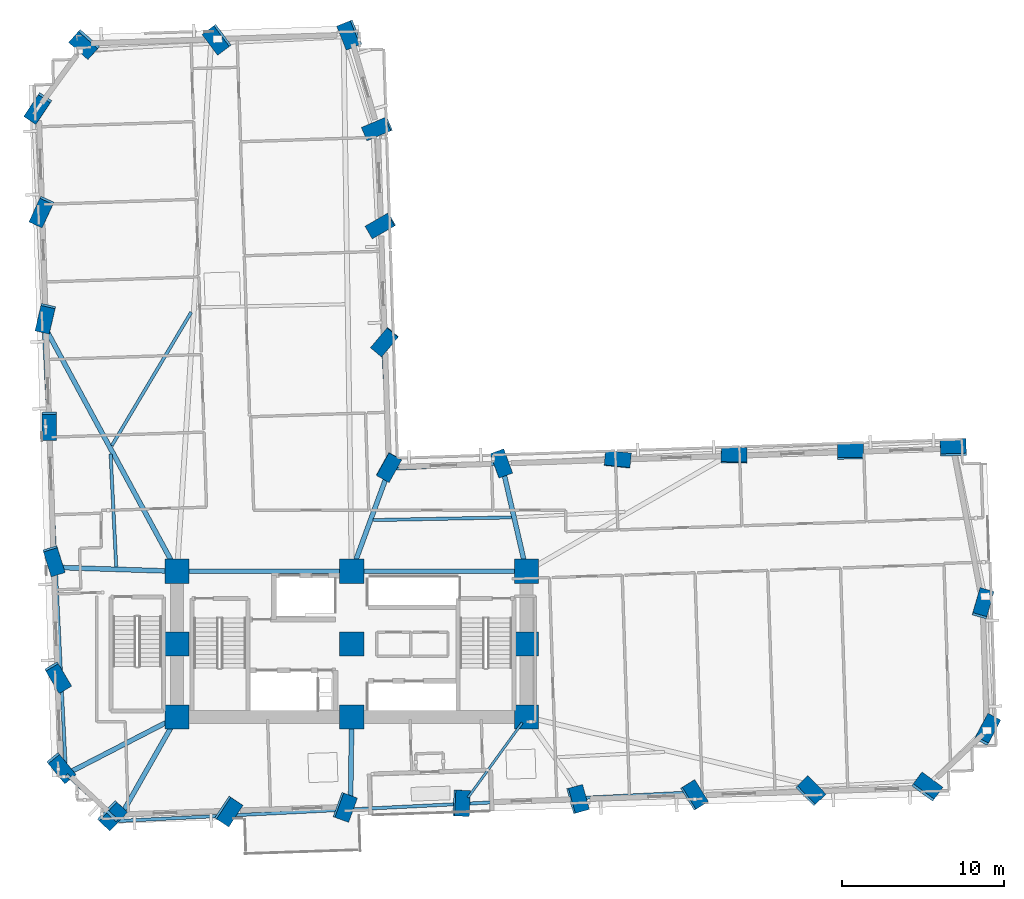
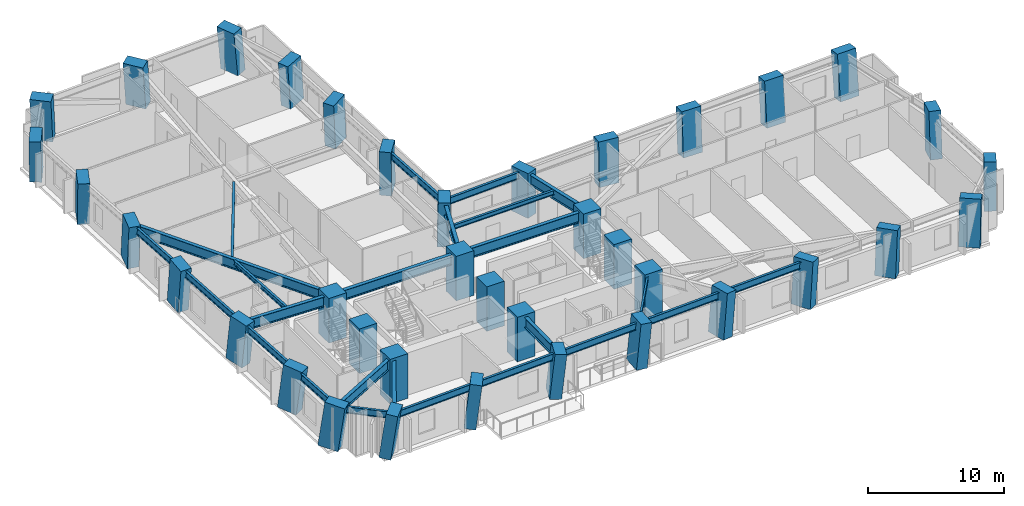
# One storey, part 1 of 14: 38 columns, 25 beams.
"""IFC4 building model written with IfcOpenShell, lengths in metres."""

from ifc_helpers import new_model, si_unit, direction, frame, origin, origin_2d, place, context, subcontext, project, spatial, rectangle, i_section, extrude, material, material_profile, profile_set, type_object, element, save


model = new_model("IFC4")

# Units and contexts
model_context = context("Model", 3, precision=1e-05, world=origin(), true_north=direction((0.0, 1.0)))
body_context = subcontext(model_context, "Body", "Model", "MODEL_VIEW")
ifc_project = project(units=[si_unit("LENGTHUNIT", "METRE"), si_unit("AREAUNIT", "SQUARE_METRE"), si_unit("VOLUMEUNIT", "CUBIC_METRE"), si_unit("PLANEANGLEUNIT", "RADIAN"), si_unit("MASSUNIT", "GRAM", prefix="KILO")], contexts=[model_context])

# Site, building, storey
site_placement = place(None, origin())
site = spatial("IfcSite", under=ifc_project, at=site_placement, CompositionType="ELEMENT")
building_placement = place(site_placement, origin())
building = spatial("IfcBuilding", under=site, at=building_placement, Name="Gaonmaruhae Medical Tower", CompositionType="ELEMENT")
storey_placement = place(building_placement, frame((0.0, 0.0, 31.0)))
storey = spatial("IfcBuildingStorey", under=building, at=storey_placement, Name="L06", CompositionType="ELEMENT", Elevation=31.0)

# Columns
ifc_material_1 = material(Name="Concrete C60/75", Category="concrete")
ifc_material_profile_1 = material_profile(ifc_material_1, rectangle(XDim=1.5, YDim=1.5, at=origin_2d()), Name="RC-1500x1500")
ifc_profile_set_1 = profile_set([ifc_material_profile_1], Name="Concrete C60/75")
column_type_1 = type_object("IfcColumnType", Name="CC-02 Zone 1 Core Column (RC-1500x1500)", PredefinedType="COLUMN", material=ifc_profile_set_1)
for number, where, z_axis, x_axis, name in (
    (1, (14.0, 7.800048828125, 0.0), (0.0, 0.0, 1.0), (1.0, 0.0, 0.0), "L06 Plumb Core Column CC11"),
    (2, (14.0, 12.300048828125, 0.0), (0.0, 0.0, 1.0), (1.0, 0.0, 0.0), "L06 Plumb Core Column CC12"),
    (3, (14.0, 16.800048828125, 0.0), (0.0, 0.0, 1.0), (1.0, 0.0, 0.0), "L06 Plumb Core Column CC13"),
    (4, (24.800048828125, 7.800048828125, 0.0), (0.0, 0.0, 1.0), (1.0, 0.0, 0.0), "L06 Plumb Core Column CC21"),
    (5, (24.800048828125, 12.300048828125, 0.0), (0.0, 0.0, 1.0), (1.0, 0.0, 0.0), "L06 Plumb Core Column CC22"),
    (6, (24.800048828125, 16.800048828125, 0.0), (0.0, 0.0, 1.0), (1.0, 0.0, 0.0), "L06 Plumb Core Column CC23"),
    (7, (35.60009765625, 7.800048828125, 0.0), (0.0, 0.0, 1.0), (1.0, 0.0, 0.0), "L06 Plumb Core Column CC31"),
    (8, (35.60009765625, 12.300048828125, 0.0), (0.0, 0.0, 1.0), (1.0, 0.0, 0.0), "L06 Plumb Core Column CC32"),
    (9, (35.60009765625, 16.800048828125, 0.0), (0.0, 0.0, 1.0), (1.0, 0.0, 0.0), "L06 Plumb Core Column CC33"),
):
    element("IfcColumn", number, at=place(storey_placement, frame(where, z_axis=z_axis, x_axis=x_axis)), inside=storey, type_object=column_type_1, Name=name, PredefinedType="COLUMN", context=body_context, shape_type="SweptSolid", body=[
        extrude(rectangle(XDim=1.5, YDim=1.5, at=origin_2d()), origin(), (0.0, 0.0, 1.0), 4.0),
    ])
ifc_material_profile_2 = material_profile(ifc_material_1, rectangle(XDim=1.60009765625, YDim=0.89990234375, at=origin_2d()), Name="RC-1600x900")
ifc_profile_set_2 = profile_set([ifc_material_profile_2], Name="Concrete C60/75")
column_type_2 = type_object("IfcColumnType", Name="TC-01 Lower Raking Tube Pier Column (RC-1600x900)", PredefinedType="COLUMN", material=ifc_profile_set_2)
column_1_placement = place(storey_placement, frame((9.951171875, 1.753173828125, 0.001708984375), z_axis=(0.095504651376, -0.096351967674, 0.990754843486), x_axis=(0.686707556707, 0.726919871615, 0.004497978688)))
element("IfcColumn", 10, at=column_1_placement, inside=storey, type_object=column_type_2, Name="L06 Perimeter Tube Column S01", PredefinedType="COLUMN", context=body_context, shape_type="SweptSolid", body=[
    extrude(rectangle(XDim=1.60009765625, YDim=0.89990234375, at=origin_2d()), origin(), (0.0, 0.0, 1.0), 4.033935546875),
])
column_2_placement = place(storey_placement, frame((17.147216796875, 1.991943359375, 0.001708984375), z_axis=(0.094473013371, -0.066986645319, 0.993271181044), x_axis=(0.551227533115, 0.834346129005, 0.003839759155)))
element("IfcColumn", 11, at=column_2_placement, inside=storey, type_object=column_type_2, Name="L06 Perimeter Tube Column S02", PredefinedType="COLUMN", context=body_context, shape_type="SweptSolid", body=[
    extrude(rectangle(XDim=1.60009765625, YDim=0.89990234375, at=origin_2d()), origin(), (0.0, 0.0, 1.0), 4.023681640625),
])
column_3_placement = place(storey_placement, frame((24.34326171875, 2.230712890625, 0.001708984375), z_axis=(0.093414591614, -0.037438769313, 0.994923139054), x_axis=(0.341191535145, 0.939987873879, 0.003336661014)))
element("IfcColumn", 12, at=column_3_placement, inside=storey, type_object=column_type_2, Name="L06 Perimeter Tube Column S03", PredefinedType="COLUMN", context=body_context, shape_type="SweptSolid", body=[
    extrude(rectangle(XDim=1.60009765625, YDim=0.89990234375, at=origin_2d()), origin(), (0.0, 0.0, 1.0), 4.01708984375),
])
column_4_placement = place(storey_placement, frame((31.539306640625, 2.469482421875, 0.001708984375), z_axis=(0.092271359153, -0.007785586006, 0.995703460339), x_axis=(0.051136235905, 0.998686967769, 0.003070144289)))
element("IfcColumn", 13, at=column_4_placement, inside=storey, type_object=column_type_2, Name="L06 Perimeter Tube Column S04", PredefinedType="COLUMN", context=body_context, shape_type="SweptSolid", body=[
    extrude(rectangle(XDim=1.60009765625, YDim=0.89990234375, at=origin_2d()), origin(), (0.0, 0.0, 1.0), 4.013916015625),
])
column_5_placement = place(storey_placement, frame((38.7353515625, 2.708251953125, 0.001708984375), z_axis=(0.090985631016, 0.021894937945, 0.995611483783), x_axis=(-0.265927712574, 0.963987979471, 0.003102760257)))
element("IfcColumn", 14, at=column_5_placement, inside=storey, type_object=column_type_2, Name="L06 Perimeter Tube Column S05", PredefinedType="COLUMN", context=body_context, shape_type="SweptSolid", body=[
    extrude(rectangle(XDim=1.60009765625, YDim=0.89990234375, at=origin_2d()), origin(), (0.0, 0.0, 1.0), 4.01416015625),
])
column_6_placement = place(storey_placement, frame((45.931396484375, 2.947021484375, 0.001708984375), z_axis=(0.089681088659, 0.051584853842, 0.994633754299), x_axis=(-0.526915084998, 0.849911011221, 0.003430190405)))
element("IfcColumn", 15, at=column_6_placement, inside=storey, type_object=column_type_2, Name="L06 Perimeter Tube Column S06", PredefinedType="COLUMN", context=body_context, shape_type="SweptSolid", body=[
    extrude(rectangle(XDim=1.60009765625, YDim=0.89990234375, at=origin_2d()), origin(), (0.0, 0.0, 1.0), 4.01806640625),
])
column_7_placement = place(storey_placement, frame((53.12744140625, 3.185791015625, 0.001708984375), z_axis=(0.088301732814, 0.081084764267, 0.99278802621), x_axis=(-0.700238789355, 0.713897639235, 0.003974742434)))
element("IfcColumn", 16, at=column_7_placement, inside=storey, type_object=column_type_2, Name="L06 Perimeter Tube Column S07", PredefinedType="COLUMN", context=body_context, shape_type="SweptSolid", body=[
    extrude(rectangle(XDim=1.60009765625, YDim=0.89990234375, at=origin_2d()), origin(), (0.0, 0.0, 1.0), 4.025634765625),
])
column_8_placement = place(storey_placement, frame((60.323486328125, 3.424560546875, 0.001708984375), z_axis=(0.086851898184, 0.110379327428, 0.990087446571), x_axis=(-0.805751774541, 0.592235082356, 0.00465672101)))
element("IfcColumn", 17, at=column_8_placement, inside=storey, type_object=column_type_2, Name="L06 Perimeter Tube Column S08", PredefinedType="COLUMN", context=body_context, shape_type="SweptSolid", body=[
    extrude(rectangle(XDim=1.60009765625, YDim=0.89990234375, at=origin_2d()), origin(), (0.0, 0.0, 1.0), 4.03662109375),
])
column_9_placement = place(storey_placement, frame((64.05859375, 6.9501953125, 0.001708984375), z_axis=(0.072169528096, 0.125541130532, 0.989459945505), x_axis=(-0.464116659071, -0.873870563102, 0.144727211392)))
element("IfcColumn", 18, at=column_9_placement, inside=storey, type_object=column_type_2, Name="L06 Perimeter Tube Column E01", PredefinedType="COLUMN", context=body_context, shape_type="SweptSolid", body=[
    extrude(rectangle(XDim=1.60009765625, YDim=0.89990234375, at=origin_2d()), origin(), (0.0, 0.0, 1.0), 4.0390625),
])
column_10_placement = place(storey_placement, frame((63.800048828125, 14.74609375, 0.001708984375), z_axis=(0.040274338788, 0.124396228377, 0.991414926255), x_axis=(-0.273662155981, -0.952906802327, 0.130681484771)))
element("IfcColumn", 19, at=column_10_placement, inside=storey, type_object=column_type_2, Name="L06 Perimeter Tube Column E02", PredefinedType="COLUMN", context=body_context, shape_type="SweptSolid", body=[
    extrude(rectangle(XDim=1.60009765625, YDim=0.89990234375, at=origin_2d()), origin(), (0.0, 0.0, 1.0), 4.03125),
])
column_11_placement = place(storey_placement, frame((61.979248046875, 24.390869140625, 0.001708984375), z_axis=(0.000728026521, 0.116848256675, 0.993149512858), x_axis=(-0.999635972632, -0.026700426873, 0.003874199989)))
element("IfcColumn", 20, at=column_11_placement, inside=storey, type_object=column_type_2, Name="L06 Perimeter Tube Column E03", PredefinedType="COLUMN", context=body_context, shape_type="SweptSolid", body=[
    extrude(rectangle(XDim=1.60009765625, YDim=0.89990234375, at=origin_2d()), origin(), (0.0, 0.0, 1.0), 4.024169921875),
])
column_12_placement = place(storey_placement, frame((55.632568359375, 24.180419921875, 0.001708984375), z_axis=(0.001825022721, 0.090946965617, 0.99585406498), x_axis=(-0.999911476925, -0.012959253043, 0.003015969921)))
element("IfcColumn", 21, at=column_12_placement, inside=storey, type_object=column_type_2, Name="L06 Perimeter Tube Column EN01", PredefinedType="COLUMN", context=body_context, shape_type="SweptSolid", body=[
    extrude(rectangle(XDim=1.60009765625, YDim=0.89990234375, at=origin_2d()), origin(), (0.0, 0.0, 1.0), 4.01318359375),
])
column_13_placement = place(storey_placement, frame((48.4365234375, 23.941650390625, 0.001708984375), z_axis=(0.003048590926, 0.061398621247, 0.998108669135), x_axis=(-0.999861584923, 0.016512321964, 0.002038190045)))
element("IfcColumn", 22, at=column_13_placement, inside=storey, type_object=column_type_2, Name="L06 Perimeter Tube Column EN02", PredefinedType="COLUMN", context=body_context, shape_type="SweptSolid", body=[
    extrude(rectangle(XDim=1.60009765625, YDim=0.89990234375, at=origin_2d()), origin(), (0.0, 0.0, 1.0), 4.004150390625),
])
column_14_placement = place(storey_placement, frame((41.240478515625, 23.702880859375, 0.001708984375), z_axis=(0.004334983307, 0.031688117412, 0.999488404702), x_axis=(-0.99471880783, 0.102632201953, 0.001060410662)))
element("IfcColumn", 23, at=column_14_placement, inside=storey, type_object=column_type_2, Name="L06 Perimeter Tube Column EN03", PredefinedType="COLUMN", context=body_context, shape_type="SweptSolid", body=[
    extrude(rectangle(XDim=1.60009765625, YDim=0.89990234375, at=origin_2d()), origin(), (0.0, 0.0, 1.0), 3.99853515625),
])
column_15_placement = place(storey_placement, frame((34.04443359375, 23.464111328125, 0.001708984375), z_axis=(0.005558854074, 0.001832589255, 0.999982870232), x_axis=(-0.344410613916, 0.938819094055, 0.000194061884)))
element("IfcColumn", 24, at=column_15_placement, inside=storey, type_object=column_type_2, Name="L06 Perimeter Tube Column EN04", PredefinedType="COLUMN", context=body_context, shape_type="SweptSolid", body=[
    extrude(rectangle(XDim=1.60009765625, YDim=0.89990234375, at=origin_2d()), origin(), (0.0, 0.0, 1.0), 3.99658203125),
])
column_16_placement = place(storey_placement, frame((27.098388671875, 23.233642578125, 0.001708984375), z_axis=(0.006717020494, -0.026929145799, 0.999614777173), x_axis=(0.486316991938, 0.873547428261, 0.020265091433)))
element("IfcColumn", 25, at=column_16_placement, inside=storey, type_object=column_type_2, Name="L06 Perimeter Tube Column KN01", PredefinedType="COLUMN", context=body_context, shape_type="SweptSolid", body=[
    extrude(rectangle(XDim=1.60009765625, YDim=0.89990234375, at=origin_2d()), origin(), (0.0, 0.0, 1.0), 3.998046875),
])
column_17_placement = place(storey_placement, frame((26.84130859375, 30.979248046875, 0.001708984375), z_axis=(-0.025333029356, -0.028202071234, 0.999281182051), x_axis=(0.642739954764, 0.765146921269, 0.037888513064)))
element("IfcColumn", 26, at=column_17_placement, inside=storey, type_object=column_type_2, Name="L06 Perimeter Tube Column NE01", PredefinedType="COLUMN", context=body_context, shape_type="SweptSolid", body=[
    extrude(rectangle(XDim=1.60009765625, YDim=0.89990234375, at=origin_2d()), origin(), (0.0, 0.0, 1.0), 3.99951171875),
])
column_18_placement = place(storey_placement, frame((26.6025390625, 38.17529296875, 0.001708984375), z_axis=(-0.05505436103, -0.029386713196, 0.998050819557), x_axis=(0.864374485413, 0.498965398144, 0.062372112537)))
element("IfcColumn", 27, at=column_18_placement, inside=storey, type_object=column_type_2, Name="L06 Perimeter Tube Column NE02", PredefinedType="COLUMN", context=body_context, shape_type="SweptSolid", body=[
    extrude(rectangle(XDim=1.60009765625, YDim=0.89990234375, at=origin_2d()), origin(), (0.0, 0.0, 1.0), 4.00439453125),
])
column_19_placement = place(storey_placement, frame((26.403564453125, 44.172119140625, 0.001708984375), z_axis=(-0.079732477798, -0.030432243434, 0.996351650043), x_axis=(0.918518556496, 0.386067712064, 0.085295856142)))
element("IfcColumn", 28, at=column_19_placement, inside=storey, type_object=column_type_2, Name="L06 Perimeter Tube Column NE03", PredefinedType="COLUMN", context=body_context, shape_type="SweptSolid", body=[
    extrude(rectangle(XDim=1.60009765625, YDim=0.89990234375, at=origin_2d()), origin(), (0.0, 0.0, 1.0), 4.01123046875),
])
column_20_placement = place(storey_placement, frame((24.71044921875, 49.968994140625, 0.001708984375), z_axis=(-0.103400712653, -0.037462266416, 0.993934037659), x_axis=(0.371430623537, -0.928453550877, 0.00364633543)))
element("IfcColumn", 29, at=column_20_placement, inside=storey, type_object=column_type_2, Name="L06 Perimeter Tube Column N01", PredefinedType="COLUMN", context=body_context, shape_type="SweptSolid", body=[
    extrude(rectangle(XDim=1.60009765625, YDim=0.89990234375, at=origin_2d()), origin(), (0.0, 0.0, 1.0), 4.02099609375),
])
column_21_placement = place(storey_placement, frame((16.514892578125, 49.697021484375, 0.001708984375), z_axis=(-0.101772180039, -0.071101112082, 0.992263601686), x_axis=(0.59936256369, -0.800467097589, 0.004116178312)))
element("IfcColumn", 30, at=column_21_placement, inside=storey, type_object=column_type_2, Name="L06 Perimeter Tube Column N02", PredefinedType="COLUMN", context=body_context, shape_type="SweptSolid", body=[
    extrude(rectangle(XDim=1.60009765625, YDim=0.89990234375, at=origin_2d()), origin(), (0.0, 0.0, 1.0), 4.02783203125),
])
column_22_placement = place(storey_placement, frame((8.319580078125, 49.42529296875, 0.001708984375), z_axis=(-0.100155050249, -0.104567433272, 0.989461781884), x_axis=(0.744474242453, -0.667633923491, 0.004800680031)))
element("IfcColumn", 31, at=column_22_placement, inside=storey, type_object=column_type_2, Name="L06 Perimeter Tube Column N03", PredefinedType="COLUMN", context=body_context, shape_type="SweptSolid", body=[
    extrude(rectangle(XDim=1.60009765625, YDim=0.89990234375, at=origin_2d()), origin(), (0.0, 0.0, 1.0), 4.0390625),
])
column_23_placement = place(storey_placement, frame((5.44873046875, 45.477783203125, 0.001708984375), z_axis=(-0.083853767304, -0.116198226935, 0.989680007763), x_axis=(0.551939355085, 0.821493784414, 0.143216306606)))
element("IfcColumn", 32, at=column_23_placement, inside=storey, type_object=column_type_2, Name="L06 Perimeter Tube Column W01", PredefinedType="COLUMN", context=body_context, shape_type="SweptSolid", body=[
    extrude(rectangle(XDim=1.60009765625, YDim=0.89990234375, at=origin_2d()), origin(), (0.0, 0.0, 1.0), 4.038330078125),
])
column_24_placement = place(storey_placement, frame((5.6611328125, 39.081298828125, 0.001708984375), z_axis=(-0.057790356596, -0.115338405618, 0.99164374998), x_axis=(0.414334782227, 0.900945231317, 0.128935559113)))
element("IfcColumn", 33, at=column_24_placement, inside=storey, type_object=column_type_2, Name="L06 Perimeter Tube Column W02", PredefinedType="COLUMN", context=body_context, shape_type="SweptSolid", body=[
    extrude(rectangle(XDim=1.60009765625, YDim=0.89990234375, at=origin_2d()), origin(), (0.0, 0.0, 1.0), 4.0302734375),
])
column_25_placement = place(storey_placement, frame((5.8798828125, 32.48486328125, 0.001708984375), z_axis=(-0.030692823871, -0.114339867582, 0.992967444202), x_axis=(0.225270475905, 0.96708477646, 0.11832264291)))
element("IfcColumn", 34, at=column_25_placement, inside=storey, type_object=column_type_2, Name="L06 Perimeter Tube Column W03", PredefinedType="COLUMN", context=body_context, shape_type="SweptSolid", body=[
    extrude(rectangle(XDim=1.60009765625, YDim=0.89990234375, at=origin_2d()), origin(), (0.0, 0.0, 1.0), 4.02490234375),
])
column_26_placement = place(storey_placement, frame((6.100341796875, 25.838623046875, 0.001708984375), z_axis=(-0.00333816856, -0.113254955138, 0.993560351346), x_axis=(-0.003884586791, 0.993559859263, 0.113241847594)))
element("IfcColumn", 35, at=column_26_placement, inside=storey, type_object=column_type_2, Name="L06 Perimeter Tube Column W04", PredefinedType="COLUMN", context=body_context, shape_type="SweptSolid", body=[
    extrude(rectangle(XDim=1.60009765625, YDim=0.89990234375, at=origin_2d()), origin(), (0.0, 0.0, 1.0), 4.0224609375),
])
column_27_placement = place(storey_placement, frame((6.37744140625, 17.4931640625, 0.001708984375), z_axis=(0.031004754725, -0.111823410878, 0.993244295208), x_axis=(-0.297184287136, 0.947750247641, 0.115978306483)))
element("IfcColumn", 36, at=column_27_placement, inside=storey, type_object=column_type_2, Name="L06 Perimeter Tube Column W05", PredefinedType="COLUMN", context=body_context, shape_type="SweptSolid", body=[
    extrude(rectangle(XDim=1.60009765625, YDim=0.89990234375, at=origin_2d()), origin(), (0.0, 0.0, 1.0), 4.023681640625),
])
column_28_placement = place(storey_placement, frame((6.6162109375, 10.297119140625, 0.001708984375), z_axis=(0.060540092343, -0.110475063404, 0.992033344996), x_axis=(-0.505555129361, 0.853558207703, 0.125906303413)))
element("IfcColumn", 37, at=column_28_placement, inside=storey, type_object=column_type_2, Name="L06 Perimeter Tube Column W06", PredefinedType="COLUMN", context=body_context, shape_type="SweptSolid", body=[
    extrude(rectangle(XDim=1.60009765625, YDim=0.89990234375, at=origin_2d()), origin(), (0.0, 0.0, 1.0), 4.028564453125),
])
column_29_placement = place(storey_placement, frame((6.8017578125, 4.7001953125, 0.001708984375), z_axis=(0.083438905874, -0.109335825174, 0.99049665639), x_axis=(-0.62692721758, 0.766855060817, 0.13746119291)))
element("IfcColumn", 38, at=column_29_placement, inside=storey, type_object=column_type_2, Name="L06 Perimeter Tube Column W07", PredefinedType="COLUMN", context=body_context, shape_type="SweptSolid", body=[
    extrude(rectangle(XDim=1.60009765625, YDim=0.89990234375, at=origin_2d()), origin(), (0.0, 0.0, 1.0), 4.034912109375),
])

# Beams
ifc_material_2 = material(Name="Steel SM355", Category="steel")
ifc_material_profile_3 = material_profile(ifc_material_2, i_section(OverallWidth=0.199951171875, OverallDepth=0.39990234375, WebThickness=0.008056640625, FlangeThickness=0.012939453125, FilletRadius=0.012939453125, at=origin_2d()), Name="H-400x200x8x13")
ifc_profile_set_3 = profile_set([ifc_material_profile_3], Name="Steel SM355")
beam_type_1 = type_object("IfcBeamType", Name="FJ-01 Lower Zone Ward Floor Joist (H-400x200x8x13)", PredefinedType="JOIST", material=ifc_profile_set_3)
beam_1_placement = place(storey_placement, frame((34.674072265625, 20.132568359375, 3.580078125), z_axis=(-0.999810741902, -0.019454572125, 0.0), x_axis=(0.019454572125, -0.999810741902, 0.0)))
element("IfcBeam", 39, at=beam_1_placement, inside=storey, type_object=beam_type_1, Name="L06 Secondary Floor Joist FJ06", PredefinedType="JOIST", context=body_context, shape_type="SweptSolid", body=[
    extrude(i_section(OverallWidth=0.199951171875, OverallDepth=0.39990234375, WebThickness=0.008056640625, FlangeThickness=0.012939453125, FilletRadius=0.012939453125, at=origin_2d()), origin(), (0.0, 0.0, 1.0), 8.546142578125),
])
beam_2_placement = place(storey_placement, frame((14.880615234375, 32.81689453125, 3.580078125), z_axis=(-0.511463293605, -0.85930512584, 0.0), x_axis=(0.85930512584, -0.511463293605, 0.0)))
element("IfcBeam", 40, at=beam_2_placement, inside=storey, type_object=beam_type_1, Name="L06 Secondary Floor Joist FJ09", PredefinedType="JOIST", context=body_context, shape_type="SweptSolid", body=[
    extrude(i_section(OverallWidth=0.199951171875, OverallDepth=0.39990234375, WebThickness=0.008056640625, FlangeThickness=0.012939453125, FilletRadius=0.012939453125, at=origin_2d()), origin(), (0.0, 0.0, 1.0), 9.60009765625),
])
beam_3_placement = place(storey_placement, frame((9.895751953125, 24.059326171875, 3.580078125), z_axis=(0.049735546538, -0.998762421906, 0.0), x_axis=(0.998762421906, 0.049735546538, 0.0)))
element("IfcBeam", 41, at=beam_3_placement, inside=storey, type_object=beam_type_1, Name="L06 Secondary Floor Joist FJ10", PredefinedType="JOIST", context=body_context, shape_type="SweptSolid", body=[
    extrude(i_section(OverallWidth=0.199951171875, OverallDepth=0.39990234375, WebThickness=0.008056640625, FlangeThickness=0.012939453125, FilletRadius=0.012939453125, at=origin_2d()), origin(), (0.0, 0.0, 1.0), 6.989990234375),
])
ifc_material_profile_4 = material_profile(ifc_material_2, i_section(OverallWidth=0.14990234375, OverallDepth=0.300048828125, WebThickness=0.006591796875, FlangeThickness=0.009033203125, FilletRadius=0.012939453125, at=origin_2d()), Name="H-300x150x6.5x9")
ifc_profile_set_4 = profile_set([ifc_material_profile_4], Name="Steel SM355")
beam_type_2 = type_object("IfcBeamType", Name="FJ-03 Crown Cap & Terrace Ring Beam (H-300x150x6.5x9)", PredefinedType="JOIST", material=ifc_profile_set_4)
beam_4_placement = place(storey_placement, frame((31.988525390625, 2.818115234375, 3.610107421875), z_axis=(0.586941616238, 0.809629260296, 0.0), x_axis=(-0.809629260296, 0.586941616238, 0.0)))
element("IfcBeam", 42, at=beam_4_placement, inside=storey, type_object=beam_type_2, Name="L06 Terrace Support Tie Beam", PredefinedType="JOIST", context=body_context, shape_type="SweptSolid", body=[
    extrude(i_section(OverallWidth=0.14990234375, OverallDepth=0.300048828125, WebThickness=0.006591796875, FlangeThickness=0.009033203125, FilletRadius=0.012939453125, at=origin_2d()), origin(), (0.0, 0.0, 1.0), 5.703125),
])
ifc_material_3 = material(Name="Steel SM420", Category="steel")
ifc_material_profile_5 = material_profile(ifc_material_3, i_section(OverallWidth=0.300048828125, OverallDepth=0.89990234375, WebThickness=0.01611328125, FlangeThickness=0.028076171875, FilletRadius=0.01806640625, at=origin_2d()), Name="H-900x300x16x28")
ifc_profile_set_5 = profile_set([ifc_material_profile_5], Name="Steel SM420")
beam_type_3 = type_object("IfcBeamType", Name="PG-01 Zone 1 Radial Floor Girder (H-900x300x16x28)", PredefinedType="BEAM", material=ifc_profile_set_5)
for number, where, z_axis, x_axis, name in (
    (43, (14.050048828125, 16.800048828125, 3.330078125), (1.0, 0.0, 0.0), (0.0, 1.0, 0.0), "L06 Beam BM-L06-CG-N1"),
    (44, (24.85009765625, 16.800048828125, 3.330078125), (1.0, 0.0, 0.0), (0.0, 1.0, 0.0), "L06 Beam BM-L06-CG-N2"),
):
    element("IfcBeam", number, at=place(storey_placement, frame(where, z_axis=z_axis, x_axis=x_axis)), inside=storey, type_object=beam_type_3, Name=name, PredefinedType="BEAM", context=body_context, shape_type="SweptSolid", body=[
        extrude(i_section(OverallWidth=0.300048828125, OverallDepth=0.89990234375, WebThickness=0.01611328125, FlangeThickness=0.028076171875, FilletRadius=0.01806640625, at=origin_2d()), origin(), (0.0, 0.0, 1.0), 10.699951171875),
    ])
beam_5_placement = place(storey_placement, frame((13.975341796875, 7.756591796875, 3.330078125), z_axis=(-0.494702268708, -0.869062520959, 0.0), x_axis=(0.869062520959, -0.494702268708, 0.0)))
element("IfcBeam", 45, at=beam_5_placement, inside=storey, type_object=beam_type_3, Name="L06 Radial Primary Girder S01", PredefinedType="BEAM", context=body_context, shape_type="SweptSolid", body=[
    extrude(i_section(OverallWidth=0.300048828125, OverallDepth=0.89990234375, WebThickness=0.01611328125, FlangeThickness=0.028076171875, FilletRadius=0.01806640625, at=origin_2d()), origin(), (0.0, 0.0, 1.0), 7.305419921875),
])
beam_6_placement = place(storey_placement, frame((24.79931640625, 7.75, 3.330078125), z_axis=(-0.014204840026, -0.99989910617, 0.0), x_axis=(0.99989910617, -0.014204840026, 0.0)))
element("IfcBeam", 46, at=beam_6_placement, inside=storey, type_object=beam_type_3, Name="L06 Radial Primary Girder S03", PredefinedType="BEAM", context=body_context, shape_type="SweptSolid", body=[
    extrude(i_section(OverallWidth=0.300048828125, OverallDepth=0.89990234375, WebThickness=0.01611328125, FlangeThickness=0.028076171875, FilletRadius=0.01806640625, at=origin_2d()), origin(), (0.0, 0.0, 1.0), 5.6201171875),
])
beam_7_placement = place(storey_placement, frame((35.5888671875, 16.8486328125, 3.330078125), z_axis=(-0.22399506934, 0.974590277456, 0.0), x_axis=(-0.974590277456, -0.22399506934, 0.0)))
element("IfcBeam", 47, at=beam_7_placement, inside=storey, type_object=beam_type_3, Name="L06 Radial Primary Girder EN04", PredefinedType="BEAM", context=body_context, shape_type="SweptSolid", body=[
    extrude(i_section(OverallWidth=0.300048828125, OverallDepth=0.89990234375, WebThickness=0.01611328125, FlangeThickness=0.028076171875, FilletRadius=0.01806640625, at=origin_2d()), origin(), (0.0, 0.0, 1.0), 6.74560546875),
])
beam_8_placement = place(storey_placement, frame((24.817138671875, 16.846923828125, 3.330078125), z_axis=(0.345003243795, 0.938601492525, 0.0), x_axis=(-0.938601492525, 0.345003243795, 0.0)))
element("IfcBeam", 48, at=beam_8_placement, inside=storey, type_object=beam_type_3, Name="L06 Radial Primary Girder KN01", PredefinedType="BEAM", context=body_context, shape_type="SweptSolid", body=[
    extrude(i_section(OverallWidth=0.300048828125, OverallDepth=0.89990234375, WebThickness=0.01611328125, FlangeThickness=0.028076171875, FilletRadius=0.01806640625, at=origin_2d()), origin(), (0.0, 0.0, 1.0), 6.639892578125),
])
beam_9_placement = place(storey_placement, frame((13.97607421875, 16.843994140625, 3.330078125), z_axis=(-0.4761428678, 0.879367937466, 0.0), x_axis=(-0.879367937466, -0.4761428678, 0.0)))
element("IfcBeam", 49, at=beam_9_placement, inside=storey, type_object=beam_type_3, Name="L06 Radial Primary Girder W03", PredefinedType="BEAM", context=body_context, shape_type="SweptSolid", body=[
    extrude(i_section(OverallWidth=0.300048828125, OverallDepth=0.89990234375, WebThickness=0.01611328125, FlangeThickness=0.028076171875, FilletRadius=0.01806640625, at=origin_2d()), origin(), (0.0, 0.0, 1.0), 17.212890625),
])
beam_10_placement = place(storey_placement, frame((13.949951171875, 16.801513671875, 3.330078125), z_axis=(-0.999474200118, 0.032424115993, 0.0), x_axis=(-0.032424115993, -0.999474200118, 0.0)))
element("IfcBeam", 50, at=beam_10_placement, inside=storey, type_object=beam_type_3, Name="L06 Radial Primary Girder W05", PredefinedType="BEAM", context=body_context, shape_type="SweptSolid", body=[
    extrude(i_section(OverallWidth=0.300048828125, OverallDepth=0.89990234375, WebThickness=0.01611328125, FlangeThickness=0.028076171875, FilletRadius=0.01806640625, at=origin_2d()), origin(), (0.0, 0.0, 1.0), 7.401611328125),
])
beam_11_placement = place(storey_placement, frame((13.95556640625, 7.777099609375, 3.330078125), z_axis=(-0.888626132007, -0.458632311894, 0.0), x_axis=(0.458632311894, -0.888626132007, 0.0)))
element("IfcBeam", 51, at=beam_11_placement, inside=storey, type_object=beam_type_3, Name="L06 Radial Primary Girder W07", PredefinedType="BEAM", context=body_context, shape_type="SweptSolid", body=[
    extrude(i_section(OverallWidth=0.300048828125, OverallDepth=0.89990234375, WebThickness=0.01611328125, FlangeThickness=0.028076171875, FilletRadius=0.01806640625, at=origin_2d()), origin(), (0.0, 0.0, 1.0), 7.621337890625),
])
ifc_material_profile_6 = material_profile(ifc_material_2, i_section(OverallWidth=0.199951171875, OverallDepth=0.60009765625, WebThickness=0.010986328125, FlangeThickness=0.01708984375, FilletRadius=0.012939453125, at=origin_2d()), Name="H-600x200x11x17")
ifc_profile_set_6 = profile_set([ifc_material_profile_6], Name="Steel SM355")
beam_type_4 = type_object("IfcBeamType", Name="SP-01 Lower Perimeter Spandrel Beam (H-600x200x11x17)", PredefinedType="SPANDREL", material=ifc_profile_set_6)
for number, where, z_axis, x_axis, name in (
    (52, (10.37646484375, 1.3662109375, 3.47998046875), (0.998763175168, 0.049720417619, 0.0), (-0.049720417619, 0.998763175168, 0.0), "L06 Perimeter Spandrel Beam S01-S02"),
    (53, (17.567626953125, 1.724365234375, 3.47998046875), (0.998763175168, 0.049720417619, 0.0), (-0.049720417619, 0.998763175168, 0.0), "L06 Perimeter Spandrel Beam S02-S03"),
):
    element("IfcBeam", number, at=place(storey_placement, frame(where, z_axis=z_axis, x_axis=x_axis)), inside=storey, type_object=beam_type_4, Name=name, PredefinedType="SPANDREL", context=body_context, shape_type="SweptSolid", body=[
        extrude(i_section(OverallWidth=0.199951171875, OverallDepth=0.60009765625, WebThickness=0.010986328125, FlangeThickness=0.01708984375, FilletRadius=0.012939453125, at=origin_2d()), origin(), (0.0, 0.0, 1.0), 7.119873046875),
    ])
beam_12_placement = place(storey_placement, frame((24.758544921875, 2.082275390625, 3.4599609375), z_axis=(0.998763259933, 0.049718714876, 0.0), x_axis=(-0.049718714876, 0.998763259933, 0.0)))
element("IfcBeam", 54, at=beam_12_placement, inside=storey, type_object=beam_type_4, Name="L06 Perimeter Spandrel Beam S03-S04", PredefinedType="SPANDREL", context=body_context, shape_type="SweptSolid", body=[
    extrude(i_section(OverallWidth=0.199951171875, OverallDepth=0.60009765625, WebThickness=0.010986328125, FlangeThickness=0.01708984375, FilletRadius=0.012939453125, at=origin_2d()), origin(), (0.0, 0.0, 1.0), 7.1201171875),
])
for number, where, z_axis, x_axis, name in (
    (55, (31.94970703125, 2.440185546875, 3.4599609375), (0.998763175168, 0.049720417619, 0.0), (-0.049720417619, 0.998763175168, 0.0), "L06 Perimeter Spandrel Beam S04-S05"),
    (56, (39.140869140625, 2.79833984375, 3.47998046875), (0.998763175168, 0.049720417619, 0.0), (-0.049720417619, 0.998763175168, 0.0), "L06 Perimeter Spandrel Beam S05-S06"),
):
    element("IfcBeam", number, at=place(storey_placement, frame(where, z_axis=z_axis, x_axis=x_axis)), inside=storey, type_object=beam_type_4, Name=name, PredefinedType="SPANDREL", context=body_context, shape_type="SweptSolid", body=[
        extrude(i_section(OverallWidth=0.199951171875, OverallDepth=0.60009765625, WebThickness=0.010986328125, FlangeThickness=0.01708984375, FilletRadius=0.012939453125, at=origin_2d()), origin(), (0.0, 0.0, 1.0), 7.119873046875),
    ])
beam_13_placement = place(storey_placement, frame((34.026611328125, 23.469482421875, 3.47998046875), z_axis=(-0.998763304038, -0.049717828862, 0.0), x_axis=(0.049717828862, -0.998763304038, 0.0)))
element("IfcBeam", 57, at=beam_13_placement, inside=storey, type_object=beam_type_4, Name="L06 Perimeter Spandrel Beam EN04-KN01", PredefinedType="SPANDREL", context=body_context, shape_type="SweptSolid", body=[
    extrude(i_section(OverallWidth=0.199951171875, OverallDepth=0.60009765625, WebThickness=0.010986328125, FlangeThickness=0.01708984375, FilletRadius=0.012939453125, at=origin_2d()), origin(), (0.0, 0.0, 1.0), 6.869873046875),
])
beam_14_placement = place(storey_placement, frame((27.123291015625, 23.166015625, 3.47998046875), z_axis=(-0.049720116742, 0.998763190146, 0.0), x_axis=(-0.998763190146, -0.049720116742, 0.0)))
element("IfcBeam", 58, at=beam_14_placement, inside=storey, type_object=beam_type_4, Name="L06 Perimeter Spandrel Beam KN01-NE01", PredefinedType="SPANDREL", context=body_context, shape_type="SweptSolid", body=[
    extrude(i_section(OverallWidth=0.199951171875, OverallDepth=0.60009765625, WebThickness=0.010986328125, FlangeThickness=0.01708984375, FilletRadius=0.012939453125, at=origin_2d()), origin(), (0.0, 0.0, 1.0), 7.669921875),
])
beam_15_placement = place(storey_placement, frame((5.75830078125, 31.984619140625, 3.47998046875), z_axis=(0.049718923576, -0.998763249543, 0.0), x_axis=(0.998763249543, 0.049718923576, 0.0)))
element("IfcBeam", 59, at=beam_15_placement, inside=storey, type_object=beam_type_4, Name="L06 Perimeter Spandrel Beam W03-W04", PredefinedType="SPANDREL", context=body_context, shape_type="SweptSolid", body=[
    extrude(i_section(OverallWidth=0.199951171875, OverallDepth=0.60009765625, WebThickness=0.010986328125, FlangeThickness=0.01708984375, FilletRadius=0.012939453125, at=origin_2d()), origin(), (0.0, 0.0, 1.0), 6.570068359375),
])
beam_16_placement = place(storey_placement, frame((6.0888671875, 25.3427734375, 3.47998046875), z_axis=(0.049743261808, -0.998762037677, 0.0), x_axis=(0.998762037677, 0.049743261808, 0.0)))
element("IfcBeam", 60, at=beam_16_placement, inside=storey, type_object=beam_type_4, Name="L06 Perimeter Spandrel Beam W04-W05", PredefinedType="SPANDREL", context=body_context, shape_type="SweptSolid", body=[
    extrude(i_section(OverallWidth=0.199951171875, OverallDepth=0.60009765625, WebThickness=0.010986328125, FlangeThickness=0.01708984375, FilletRadius=0.012939453125, at=origin_2d()), origin(), (0.0, 0.0, 1.0), 8.27001953125),
])
beam_17_placement = place(storey_placement, frame((6.504150390625, 17.003173828125, 3.47998046875), z_axis=(0.049718714876, -0.998763259933, 0.0), x_axis=(0.998763259933, 0.049718714876, 0.0)))
element("IfcBeam", 61, at=beam_17_placement, inside=storey, type_object=beam_type_4, Name="L06 Perimeter Spandrel Beam W05-W06", PredefinedType="SPANDREL", context=body_context, shape_type="SweptSolid", body=[
    extrude(i_section(OverallWidth=0.199951171875, OverallDepth=0.60009765625, WebThickness=0.010986328125, FlangeThickness=0.01708984375, FilletRadius=0.012939453125, at=origin_2d()), origin(), (0.0, 0.0, 1.0), 7.1201171875),
])
beam_18_placement = place(storey_placement, frame((6.862060546875, 9.81201171875, 3.47998046875), z_axis=(0.049756732685, -0.99876136667, 0.0), x_axis=(0.99876136667, 0.049756732685, 0.0)))
element("IfcBeam", 62, at=beam_18_placement, inside=storey, type_object=beam_type_4, Name="L06 Perimeter Spandrel Beam W06-W07", PredefinedType="SPANDREL", context=body_context, shape_type="SweptSolid", body=[
    extrude(i_section(OverallWidth=0.199951171875, OverallDepth=0.60009765625, WebThickness=0.010986328125, FlangeThickness=0.01708984375, FilletRadius=0.012939453125, at=origin_2d()), origin(), (0.0, 0.0, 1.0), 5.52001953125),
])
beam_19_placement = place(storey_placement, frame((7.168212890625, 4.23193359375, 3.47998046875), z_axis=(0.741410070625, -0.671052238783, 0.0), x_axis=(0.671052238783, 0.741410070625, 0.0)))
element("IfcBeam", 63, at=beam_19_placement, inside=storey, type_object=beam_type_4, Name="L06 Perimeter Spandrel Beam W07-S01", PredefinedType="SPANDREL", context=body_context, shape_type="SweptSolid", body=[
    extrude(i_section(OverallWidth=0.199951171875, OverallDepth=0.60009765625, WebThickness=0.010986328125, FlangeThickness=0.01708984375, FilletRadius=0.012939453125, at=origin_2d()), origin(), (0.0, 0.0, 1.0), 4.2333984375),
])

save(model, "model.ifc")
